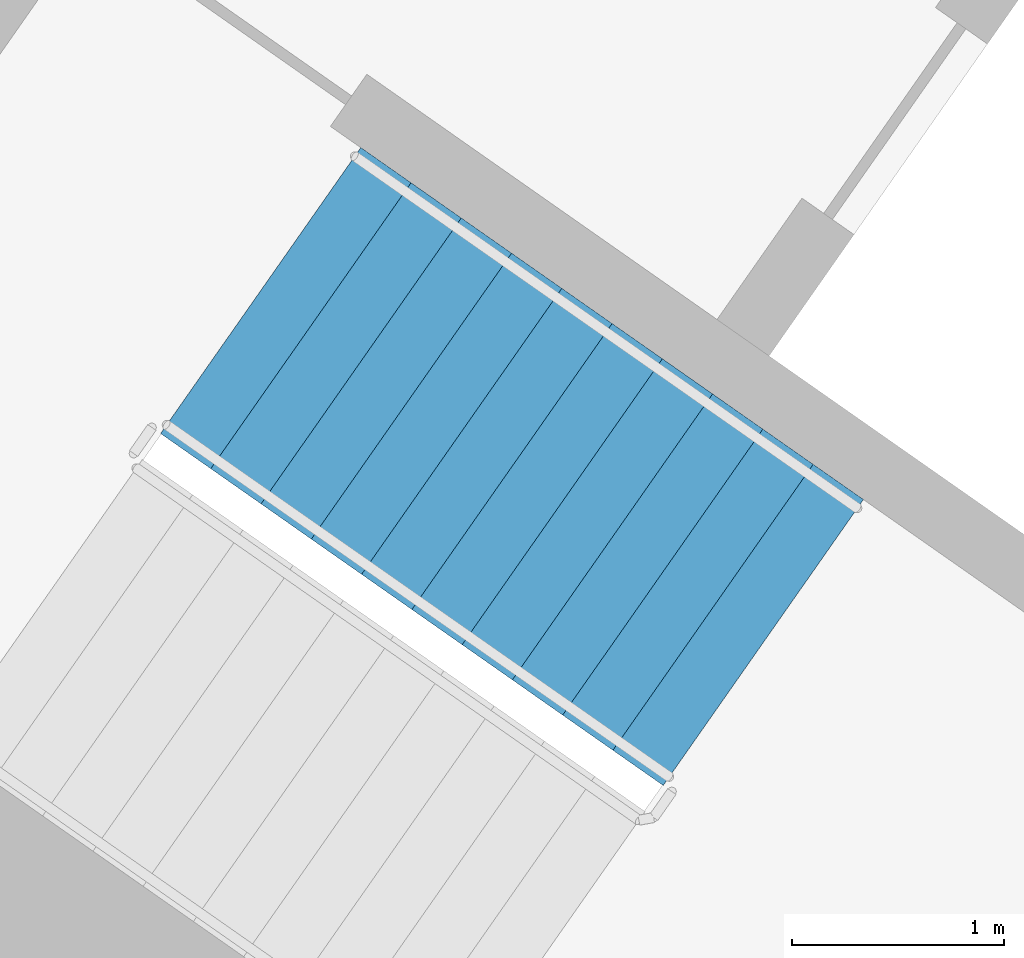
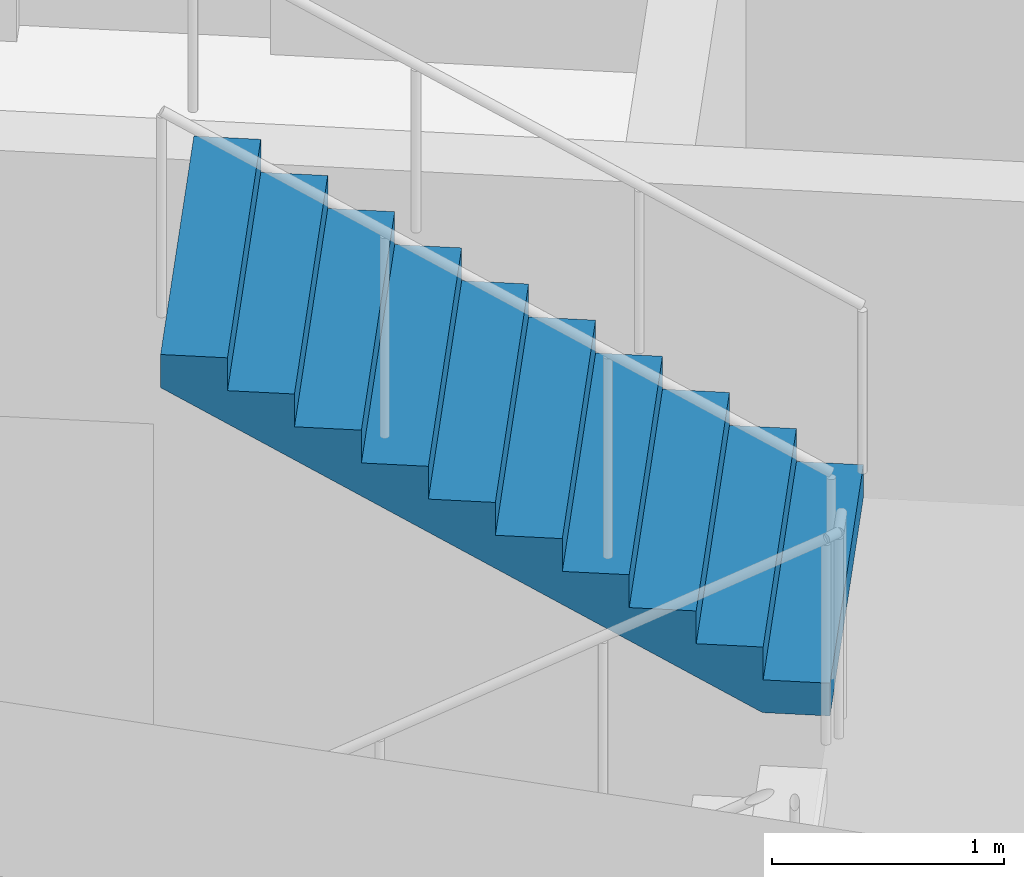
# One storey, part 11 of 31: 1 stair flight, 1 element without a shape of its own.
"""IFC4 building model written with IfcOpenShell, lengths in metres."""

from ifc_helpers import new_model, si_unit, direction, frame, origin, place, context, subcontext, project, spatial, faceted_brep, material, type_object, element, aggregate, save


model = new_model("IFC4")

# Units and contexts
model_context = context("Model", 3, precision=1e-05, world=origin(), true_north=direction((0.0, 1.0)))
body_context = subcontext(model_context, "Body", "Model", "MODEL_VIEW")
ifc_project = project(units=[si_unit("LENGTHUNIT", "METRE"), si_unit("AREAUNIT", "SQUARE_METRE"), si_unit("VOLUMEUNIT", "CUBIC_METRE"), si_unit("PLANEANGLEUNIT", "RADIAN"), si_unit("MASSUNIT", "GRAM", prefix="KILO")], contexts=[model_context])

# Site, building, storey
site_placement = place(None, origin())
site = spatial("IfcSite", under=ifc_project, at=site_placement, CompositionType="ELEMENT")
building_placement = place(site_placement, origin())
building = spatial("IfcBuilding", under=site, at=building_placement, Name="Qamariyya Broadcast Tower", CompositionType="ELEMENT")
storey_placement = place(building_placement, frame((0.0, 0.0, 51.89990234375)))
storey = spatial("IfcBuildingStorey", under=building, at=storey_placement, Name="L09", CompositionType="ELEMENT", Elevation=51.89990234375)

# Stair, stair flight
ifc_material = material(Name="Concrete C50/60", Category="concrete")
stair_type = type_object("IfcStairType", Name="Exit stair 22 risers of 173 mm", PredefinedType="HALF_TURN_STAIR", material=ifc_material)
stair_placement = place(storey_placement, origin())
stair = element("IfcStair", 1, at=stair_placement, inside=storey, type_object=stair_type, Name="L09 Stair W1", PredefinedType="HALF_TURN_STAIR")
stair_flight_type = type_object("IfcStairFlightType", Name="Exit stair flight 11 risers of 173 mm", PredefinedType="STRAIGHT", material=ifc_material)
stair_flight_placement = place(storey_placement, frame((-43.660888671875, -57.17138671875, 1.900146484375), z_axis=(0.0, 0.0, 1.0), x_axis=(-0.819152044289, 0.573576436351, 0.0)))
stair_flight = element("IfcStairFlight", 2, at=stair_flight_placement, type_object=stair_flight_type, Name="ST-W1 flight 2", NumberOfRisers=11, NumberOfTreads=10, PredefinedType="STRAIGHT", RiserHeight=0.172727273, TreadLength=0.29, context=body_context, shape_type="Brep", body=[
    faceted_brep([(0.0, 0.824951171875, 0.0), (0.0, 0.824951171875, 0.172607421875), (0.2900390625, 0.824951171875, 0.172607421875), (0.2900390625, 0.824951171875, 0.345458984375), (0.580078125, 0.824951171875, 0.345458984375), (0.580078125, 0.824951171875, 0.51806640625), (0.8701171875, 0.824951171875, 0.51806640625), (0.8701171875, 0.824951171875, 0.69091796875), (1.159912109375, 0.824951171875, 0.69091796875), (1.159912109375, 0.824951171875, 0.863525390625), (1.449951171875, 0.824951171875, 0.863525390625), (1.449951171875, 0.824951171875, 1.036376953125), (1.739990234375, 0.824951171875, 1.036376953125), (1.739990234375, 0.824951171875, 1.208984375), (2.030029296875, 0.824951171875, 1.208984375), (2.030029296875, 0.824951171875, 1.3818359375), (2.320068359375, 0.824951171875, 1.3818359375), (2.320068359375, 0.824951171875, 1.554443359375), (2.610107421875, 0.824951171875, 1.554443359375), (2.610107421875, 0.824951171875, 1.727294921875), (2.89990234375, 0.824951171875, 1.727294921875), (2.89990234375, 0.824951171875, 1.552734375), (0.29296875, 0.824951171875, 0.0), (0.29296875, -0.824951171875, 0.0), (2.89990234375, -0.824951171875, 1.552734375), (2.89990234375, -0.824951171875, 1.727294921875), (2.610107421875, -0.824951171875, 1.727294921875), (2.610107421875, -0.824951171875, 1.554443359375), (2.320068359375, -0.824951171875, 1.554443359375), (2.320068359375, -0.824951171875, 1.3818359375), (2.030029296875, -0.824951171875, 1.3818359375), (2.030029296875, -0.824951171875, 1.208984375), (1.739990234375, -0.824951171875, 1.208984375), (1.739990234375, -0.824951171875, 1.036376953125), (1.449951171875, -0.824951171875, 1.036376953125), (1.449951171875, -0.824951171875, 0.863525390625), (1.159912109375, -0.824951171875, 0.863525390625), (1.159912109375, -0.824951171875, 0.69091796875), (0.8701171875, -0.824951171875, 0.69091796875), (0.8701171875, -0.824951171875, 0.51806640625), (0.580078125, -0.824951171875, 0.51806640625), (0.580078125, -0.824951171875, 0.345458984375), (0.2900390625, -0.824951171875, 0.345458984375), (0.2900390625, -0.824951171875, 0.172607421875), (0.0, -0.824951171875, 0.172607421875), (0.0, -0.824951171875, 0.0), (0.0, 0.10009765625, 0.0), (0.0, 0.086669921875, 0.0), (0.0, 0.0732421875, 0.0), (0.0, 0.06005859375, 0.0), (0.0, 0.046630859375, 0.0), (0.0, 0.033447265625, 0.0), (0.0, 0.02001953125, 0.0), (0.0, 0.006591796875, 0.0), (0.0, -0.006591796875, 0.0), (0.0, -0.02001953125, 0.0), (0.0, -0.033447265625, 0.0), (0.0, -0.046630859375, 0.0), (0.0, -0.06005859375, 0.0), (0.0, -0.0732421875, 0.0), (0.0, -0.086669921875, 0.0), (0.0, -0.10009765625, 0.0), (0.0, -0.10009765625, 0.172607421875), (0.0, -0.086669921875, 0.172607421875), (0.0, -0.0732421875, 0.172607421875), (0.0, -0.06005859375, 0.172607421875), (0.0, -0.046630859375, 0.172607421875), (0.0, -0.033447265625, 0.172607421875), (0.0, -0.02001953125, 0.172607421875), (0.0, -0.006591796875, 0.172607421875), (0.0, 0.006591796875, 0.172607421875), (0.0, 0.02001953125, 0.172607421875), (0.0, 0.033447265625, 0.172607421875), (0.0, 0.046630859375, 0.172607421875), (0.0, 0.06005859375, 0.172607421875), (0.0, 0.0732421875, 0.172607421875), (0.0, 0.086669921875, 0.172607421875), (0.0, 0.10009765625, 0.172607421875), (0.2900390625, -0.10009765625, 0.172607421875), (0.2900390625, -0.086669921875, 0.172607421875), (0.2900390625, -0.0732421875, 0.172607421875), (0.2900390625, -0.06005859375, 0.172607421875), (0.2900390625, -0.046630859375, 0.172607421875), (0.2900390625, -0.033447265625, 0.172607421875), (0.2900390625, -0.02001953125, 0.172607421875), (0.2900390625, -0.006591796875, 0.172607421875), (0.2900390625, 0.006591796875, 0.172607421875), (0.2900390625, 0.02001953125, 0.172607421875), (0.2900390625, 0.033447265625, 0.172607421875), (0.2900390625, 0.046630859375, 0.172607421875), (0.2900390625, 0.06005859375, 0.172607421875), (0.2900390625, 0.0732421875, 0.172607421875), (0.2900390625, 0.086669921875, 0.172607421875), (0.2900390625, 0.10009765625, 0.172607421875), (0.2900390625, -0.10009765625, 0.345458984375), (0.2900390625, -0.086669921875, 0.345458984375), (0.2900390625, -0.0732421875, 0.345458984375), (0.2900390625, -0.06005859375, 0.345458984375), (0.2900390625, -0.046630859375, 0.345458984375), (0.2900390625, -0.033447265625, 0.345458984375), (0.2900390625, -0.02001953125, 0.345458984375), (0.2900390625, -0.006591796875, 0.345458984375), (0.2900390625, 0.006591796875, 0.345458984375), (0.2900390625, 0.02001953125, 0.345458984375), (0.2900390625, 0.033447265625, 0.345458984375), (0.2900390625, 0.046630859375, 0.345458984375), (0.2900390625, 0.06005859375, 0.345458984375), (0.2900390625, 0.0732421875, 0.345458984375), (0.2900390625, 0.086669921875, 0.345458984375), (0.2900390625, 0.10009765625, 0.345458984375), (0.580078125, -0.10009765625, 0.345458984375), (0.580078125, -0.086669921875, 0.345458984375), (0.580078125, -0.0732421875, 0.345458984375), (0.580078125, -0.06005859375, 0.345458984375), (0.580078125, -0.046630859375, 0.345458984375), (0.580078125, -0.033447265625, 0.345458984375), (0.580078125, -0.02001953125, 0.345458984375), (0.580078125, -0.006591796875, 0.345458984375), (0.580078125, 0.006591796875, 0.345458984375), (0.580078125, 0.02001953125, 0.345458984375), (0.580078125, 0.033447265625, 0.345458984375), (0.580078125, 0.046630859375, 0.345458984375), (0.580078125, 0.06005859375, 0.345458984375), (0.580078125, 0.0732421875, 0.345458984375), (0.580078125, 0.086669921875, 0.345458984375), (0.580078125, 0.10009765625, 0.345458984375), (0.580078125, -0.10009765625, 0.51806640625), (0.580078125, -0.086669921875, 0.51806640625), (0.580078125, -0.0732421875, 0.51806640625), (0.580078125, -0.06005859375, 0.51806640625), (0.580078125, -0.046630859375, 0.51806640625), (0.580078125, -0.033447265625, 0.51806640625), (0.580078125, -0.02001953125, 0.51806640625), (0.580078125, -0.006591796875, 0.51806640625), (0.580078125, 0.006591796875, 0.51806640625), (0.580078125, 0.02001953125, 0.51806640625), (0.580078125, 0.033447265625, 0.51806640625), (0.580078125, 0.046630859375, 0.51806640625), (0.580078125, 0.06005859375, 0.51806640625), (0.580078125, 0.0732421875, 0.51806640625), (0.580078125, 0.086669921875, 0.51806640625), (0.580078125, 0.10009765625, 0.51806640625), (0.8701171875, -0.10009765625, 0.51806640625), (0.8701171875, -0.086669921875, 0.51806640625), (0.8701171875, -0.0732421875, 0.51806640625), (0.8701171875, -0.06005859375, 0.51806640625), (0.8701171875, -0.046630859375, 0.51806640625), (0.8701171875, -0.033447265625, 0.51806640625), (0.8701171875, -0.02001953125, 0.51806640625), (0.8701171875, -0.006591796875, 0.51806640625), (0.8701171875, 0.006591796875, 0.51806640625), (0.8701171875, 0.02001953125, 0.51806640625), (0.8701171875, 0.033447265625, 0.51806640625), (0.8701171875, 0.046630859375, 0.51806640625), (0.8701171875, 0.06005859375, 0.51806640625), (0.8701171875, 0.0732421875, 0.51806640625), (0.8701171875, 0.086669921875, 0.51806640625), (0.8701171875, 0.10009765625, 0.51806640625), (0.8701171875, -0.10009765625, 0.69091796875), (0.8701171875, -0.086669921875, 0.69091796875), (0.8701171875, -0.0732421875, 0.69091796875), (0.8701171875, -0.06005859375, 0.69091796875), (0.8701171875, -0.046630859375, 0.69091796875), (0.8701171875, -0.033447265625, 0.69091796875), (0.8701171875, -0.02001953125, 0.69091796875), (0.8701171875, -0.006591796875, 0.69091796875), (0.8701171875, 0.006591796875, 0.69091796875), (0.8701171875, 0.02001953125, 0.69091796875), (0.8701171875, 0.033447265625, 0.69091796875), (0.8701171875, 0.046630859375, 0.69091796875), (0.8701171875, 0.06005859375, 0.69091796875), (0.8701171875, 0.0732421875, 0.69091796875), (0.8701171875, 0.086669921875, 0.69091796875), (0.8701171875, 0.10009765625, 0.69091796875), (1.159912109375, -0.10009765625, 0.69091796875), (1.159912109375, -0.086669921875, 0.69091796875), (1.159912109375, -0.0732421875, 0.69091796875), (1.159912109375, -0.06005859375, 0.69091796875), (1.159912109375, -0.046630859375, 0.69091796875), (1.159912109375, -0.033447265625, 0.69091796875), (1.159912109375, -0.02001953125, 0.69091796875), (1.159912109375, -0.006591796875, 0.69091796875), (1.159912109375, 0.006591796875, 0.69091796875), (1.159912109375, 0.02001953125, 0.69091796875), (1.159912109375, 0.033447265625, 0.69091796875), (1.159912109375, 0.046630859375, 0.69091796875), (1.159912109375, 0.06005859375, 0.69091796875), (1.159912109375, 0.0732421875, 0.69091796875), (1.159912109375, 0.086669921875, 0.69091796875), (1.159912109375, 0.10009765625, 0.69091796875), (1.159912109375, -0.10009765625, 0.863525390625), (1.159912109375, -0.086669921875, 0.863525390625), (1.159912109375, -0.0732421875, 0.863525390625), (1.159912109375, -0.06005859375, 0.863525390625), (1.159912109375, -0.046630859375, 0.863525390625), (1.159912109375, -0.033447265625, 0.863525390625), (1.159912109375, -0.02001953125, 0.863525390625), (1.159912109375, -0.006591796875, 0.863525390625), (1.159912109375, 0.006591796875, 0.863525390625), (1.159912109375, 0.02001953125, 0.863525390625), (1.159912109375, 0.033447265625, 0.863525390625), (1.159912109375, 0.046630859375, 0.863525390625), (1.159912109375, 0.06005859375, 0.863525390625), (1.159912109375, 0.0732421875, 0.863525390625), (1.159912109375, 0.086669921875, 0.863525390625), (1.159912109375, 0.10009765625, 0.863525390625), (1.449951171875, -0.10009765625, 0.863525390625), (1.449951171875, -0.086669921875, 0.863525390625), (1.449951171875, -0.0732421875, 0.863525390625), (1.449951171875, -0.06005859375, 0.863525390625), (1.449951171875, -0.046630859375, 0.863525390625), (1.449951171875, -0.033447265625, 0.863525390625), (1.449951171875, -0.02001953125, 0.863525390625), (1.449951171875, -0.006591796875, 0.863525390625), (1.449951171875, 0.006591796875, 0.863525390625), (1.449951171875, 0.02001953125, 0.863525390625), (1.449951171875, 0.033447265625, 0.863525390625), (1.449951171875, 0.046630859375, 0.863525390625), (1.449951171875, 0.06005859375, 0.863525390625), (1.449951171875, 0.0732421875, 0.863525390625), (1.449951171875, 0.086669921875, 0.863525390625), (1.449951171875, 0.10009765625, 0.863525390625), (1.449951171875, -0.10009765625, 1.036376953125), (1.449951171875, -0.086669921875, 1.036376953125), (1.449951171875, -0.0732421875, 1.036376953125), (1.449951171875, -0.06005859375, 1.036376953125), (1.449951171875, -0.046630859375, 1.036376953125), (1.449951171875, -0.033447265625, 1.036376953125), (1.449951171875, -0.02001953125, 1.036376953125), (1.449951171875, -0.006591796875, 1.036376953125), (1.449951171875, 0.006591796875, 1.036376953125), (1.449951171875, 0.02001953125, 1.036376953125), (1.449951171875, 0.033447265625, 1.036376953125), (1.449951171875, 0.046630859375, 1.036376953125), (1.449951171875, 0.06005859375, 1.036376953125), (1.449951171875, 0.0732421875, 1.036376953125), (1.449951171875, 0.086669921875, 1.036376953125), (1.449951171875, 0.10009765625, 1.036376953125), (1.739990234375, -0.10009765625, 1.036376953125), (1.739990234375, -0.086669921875, 1.036376953125), (1.739990234375, -0.0732421875, 1.036376953125), (1.739990234375, -0.06005859375, 1.036376953125), (1.739990234375, -0.046630859375, 1.036376953125), (1.739990234375, -0.033447265625, 1.036376953125), (1.739990234375, -0.02001953125, 1.036376953125), (1.739990234375, -0.006591796875, 1.036376953125), (1.739990234375, 0.006591796875, 1.036376953125), (1.739990234375, 0.02001953125, 1.036376953125), (1.739990234375, 0.033447265625, 1.036376953125), (1.739990234375, 0.046630859375, 1.036376953125), (1.739990234375, 0.06005859375, 1.036376953125), (1.739990234375, 0.0732421875, 1.036376953125), (1.739990234375, 0.086669921875, 1.036376953125), (1.739990234375, 0.10009765625, 1.036376953125), (1.739990234375, -0.10009765625, 1.208984375), (1.739990234375, -0.086669921875, 1.208984375), (1.739990234375, -0.0732421875, 1.208984375), (1.739990234375, -0.06005859375, 1.208984375), (1.739990234375, -0.046630859375, 1.208984375), (1.739990234375, -0.033447265625, 1.208984375), (1.739990234375, -0.02001953125, 1.208984375), (1.739990234375, -0.006591796875, 1.208984375), (1.739990234375, 0.006591796875, 1.208984375), (1.739990234375, 0.02001953125, 1.208984375), (1.739990234375, 0.033447265625, 1.208984375), (1.739990234375, 0.046630859375, 1.208984375), (1.739990234375, 0.06005859375, 1.208984375), (1.739990234375, 0.0732421875, 1.208984375), (1.739990234375, 0.086669921875, 1.208984375), (1.739990234375, 0.10009765625, 1.208984375), (2.030029296875, -0.10009765625, 1.208984375), (2.030029296875, -0.086669921875, 1.208984375), (2.030029296875, -0.0732421875, 1.208984375), (2.030029296875, -0.06005859375, 1.208984375), (2.030029296875, -0.046630859375, 1.208984375), (2.030029296875, -0.033447265625, 1.208984375), (2.030029296875, -0.02001953125, 1.208984375), (2.030029296875, -0.006591796875, 1.208984375), (2.030029296875, 0.006591796875, 1.208984375), (2.030029296875, 0.02001953125, 1.208984375), (2.030029296875, 0.033447265625, 1.208984375), (2.030029296875, 0.046630859375, 1.208984375), (2.030029296875, 0.06005859375, 1.208984375), (2.030029296875, 0.0732421875, 1.208984375), (2.030029296875, 0.086669921875, 1.208984375), (2.030029296875, 0.10009765625, 1.208984375), (2.030029296875, -0.10009765625, 1.3818359375), (2.030029296875, -0.086669921875, 1.3818359375), (2.030029296875, -0.0732421875, 1.3818359375), (2.030029296875, -0.06005859375, 1.3818359375), (2.030029296875, -0.046630859375, 1.3818359375), (2.030029296875, -0.033447265625, 1.3818359375), (2.030029296875, -0.02001953125, 1.3818359375), (2.030029296875, -0.006591796875, 1.3818359375), (2.030029296875, 0.006591796875, 1.3818359375), (2.030029296875, 0.02001953125, 1.3818359375), (2.030029296875, 0.033447265625, 1.3818359375), (2.030029296875, 0.046630859375, 1.3818359375), (2.030029296875, 0.06005859375, 1.3818359375), (2.030029296875, 0.0732421875, 1.3818359375), (2.030029296875, 0.086669921875, 1.3818359375), (2.030029296875, 0.10009765625, 1.3818359375), (2.320068359375, -0.10009765625, 1.3818359375), (2.320068359375, -0.086669921875, 1.3818359375), (2.320068359375, -0.0732421875, 1.3818359375), (2.320068359375, -0.06005859375, 1.3818359375), (2.320068359375, -0.046630859375, 1.3818359375), (2.320068359375, -0.033447265625, 1.3818359375), (2.320068359375, -0.02001953125, 1.3818359375), (2.320068359375, -0.006591796875, 1.3818359375), (2.320068359375, 0.006591796875, 1.3818359375), (2.320068359375, 0.02001953125, 1.3818359375), (2.320068359375, 0.033447265625, 1.3818359375), (2.320068359375, 0.046630859375, 1.3818359375), (2.320068359375, 0.06005859375, 1.3818359375), (2.320068359375, 0.0732421875, 1.3818359375), (2.320068359375, 0.086669921875, 1.3818359375), (2.320068359375, 0.10009765625, 1.3818359375), (2.320068359375, -0.10009765625, 1.554443359375), (2.320068359375, -0.086669921875, 1.554443359375), (2.320068359375, -0.0732421875, 1.554443359375), (2.320068359375, -0.06005859375, 1.554443359375), (2.320068359375, -0.046630859375, 1.554443359375), (2.320068359375, -0.033447265625, 1.554443359375), (2.320068359375, -0.02001953125, 1.554443359375), (2.320068359375, -0.006591796875, 1.554443359375), (2.320068359375, 0.006591796875, 1.554443359375), (2.320068359375, 0.02001953125, 1.554443359375), (2.320068359375, 0.033447265625, 1.554443359375), (2.320068359375, 0.046630859375, 1.554443359375), (2.320068359375, 0.06005859375, 1.554443359375), (2.320068359375, 0.0732421875, 1.554443359375), (2.320068359375, 0.086669921875, 1.554443359375), (2.320068359375, 0.10009765625, 1.554443359375), (2.610107421875, -0.10009765625, 1.554443359375), (2.610107421875, -0.086669921875, 1.554443359375), (2.610107421875, -0.0732421875, 1.554443359375), (2.610107421875, -0.06005859375, 1.554443359375), (2.610107421875, -0.046630859375, 1.554443359375), (2.610107421875, -0.033447265625, 1.554443359375), (2.610107421875, -0.02001953125, 1.554443359375), (2.610107421875, -0.006591796875, 1.554443359375), (2.610107421875, 0.006591796875, 1.554443359375), (2.610107421875, 0.02001953125, 1.554443359375), (2.610107421875, 0.033447265625, 1.554443359375), (2.610107421875, 0.046630859375, 1.554443359375), (2.610107421875, 0.06005859375, 1.554443359375), (2.610107421875, 0.0732421875, 1.554443359375), (2.610107421875, 0.086669921875, 1.554443359375), (2.610107421875, 0.10009765625, 1.554443359375), (2.610107421875, -0.10009765625, 1.727294921875), (2.610107421875, -0.086669921875, 1.727294921875), (2.610107421875, -0.0732421875, 1.727294921875), (2.610107421875, -0.06005859375, 1.727294921875), (2.610107421875, -0.046630859375, 1.727294921875), (2.610107421875, -0.033447265625, 1.727294921875), (2.610107421875, -0.02001953125, 1.727294921875), (2.610107421875, -0.006591796875, 1.727294921875), (2.610107421875, 0.006591796875, 1.727294921875), (2.610107421875, 0.02001953125, 1.727294921875), (2.610107421875, 0.033447265625, 1.727294921875), (2.610107421875, 0.046630859375, 1.727294921875), (2.610107421875, 0.06005859375, 1.727294921875), (2.610107421875, 0.0732421875, 1.727294921875), (2.610107421875, 0.086669921875, 1.727294921875), (2.610107421875, 0.10009765625, 1.727294921875), (2.89990234375, -0.10009765625, 1.727294921875), (2.89990234375, -0.086669921875, 1.727294921875), (2.89990234375, -0.0732421875, 1.727294921875), (2.89990234375, -0.06005859375, 1.727294921875), (2.89990234375, -0.046630859375, 1.727294921875), (2.89990234375, -0.033447265625, 1.727294921875), (2.89990234375, -0.02001953125, 1.727294921875), (2.89990234375, -0.006591796875, 1.727294921875), (2.89990234375, 0.006591796875, 1.727294921875), (2.89990234375, 0.02001953125, 1.727294921875), (2.89990234375, 0.033447265625, 1.727294921875), (2.89990234375, 0.046630859375, 1.727294921875), (2.89990234375, 0.06005859375, 1.727294921875), (2.89990234375, 0.0732421875, 1.727294921875), (2.89990234375, 0.086669921875, 1.727294921875), (2.89990234375, 0.10009765625, 1.727294921875), (2.89990234375, -0.10009765625, 1.552734375), (2.89990234375, -0.086669921875, 1.552734375), (2.89990234375, -0.0732421875, 1.552734375), (2.89990234375, -0.06005859375, 1.552734375), (2.89990234375, -0.046630859375, 1.552734375), (2.89990234375, -0.033447265625, 1.552734375), (2.89990234375, -0.02001953125, 1.552734375), (2.89990234375, -0.006591796875, 1.552734375), (2.89990234375, 0.006591796875, 1.552734375), (2.89990234375, 0.02001953125, 1.552734375), (2.89990234375, 0.033447265625, 1.552734375), (2.89990234375, 0.046630859375, 1.552734375), (2.89990234375, 0.06005859375, 1.552734375), (2.89990234375, 0.0732421875, 1.552734375), (2.89990234375, 0.086669921875, 1.552734375), (2.89990234375, 0.10009765625, 1.552734375), (0.29296875, -0.10009765625, 0.0), (0.29296875, -0.086669921875, 0.0), (0.29296875, -0.0732421875, 0.0), (0.29296875, -0.06005859375, 0.0), (0.29296875, -0.046630859375, 0.0), (0.29296875, -0.033447265625, 0.0), (0.29296875, -0.02001953125, 0.0), (0.29296875, -0.006591796875, 0.0), (0.29296875, 0.006591796875, 0.0), (0.29296875, 0.02001953125, 0.0), (0.29296875, 0.033447265625, 0.0), (0.29296875, 0.046630859375, 0.0), (0.29296875, 0.06005859375, 0.0), (0.29296875, 0.0732421875, 0.0), (0.29296875, 0.086669921875, 0.0), (0.29296875, 0.10009765625, 0.0)], [[[0, 1, 2, 3, 4, 5, 6, 7, 8, 9, 10, 11, 12, 13, 14, 15, 16, 17, 18, 19, 20, 21, 22]], [[23, 24, 25, 26, 27, 28, 29, 30, 31, 32, 33, 34, 35, 36, 37, 38, 39, 40, 41, 42, 43, 44, 45]], [[0, 46, 47, 48, 49, 50, 51, 52, 53, 54, 55, 56, 57, 58, 59, 60, 61, 45, 44, 62, 63, 64, 65, 66, 67, 68, 69, 70, 71, 72, 73, 74, 75, 76, 77, 1]], [[1, 77, 76, 75, 74, 73, 72, 71, 70, 69, 68, 67, 66, 65, 64, 63, 62, 44, 43, 78, 79, 80, 81, 82, 83, 84, 85, 86, 87, 88, 89, 90, 91, 92, 93, 2]], [[2, 93, 92, 91, 90, 89, 88, 87, 86, 85, 84, 83, 82, 81, 80, 79, 78, 43, 42, 94, 95, 96, 97, 98, 99, 100, 101, 102, 103, 104, 105, 106, 107, 108, 109, 3]], [[3, 109, 108, 107, 106, 105, 104, 103, 102, 101, 100, 99, 98, 97, 96, 95, 94, 42, 41, 110, 111, 112, 113, 114, 115, 116, 117, 118, 119, 120, 121, 122, 123, 124, 125, 4]], [[4, 125, 124, 123, 122, 121, 120, 119, 118, 117, 116, 115, 114, 113, 112, 111, 110, 41, 40, 126, 127, 128, 129, 130, 131, 132, 133, 134, 135, 136, 137, 138, 139, 140, 141, 5]], [[5, 141, 140, 139, 138, 137, 136, 135, 134, 133, 132, 131, 130, 129, 128, 127, 126, 40, 39, 142, 143, 144, 145, 146, 147, 148, 149, 150, 151, 152, 153, 154, 155, 156, 157, 6]], [[6, 157, 156, 155, 154, 153, 152, 151, 150, 149, 148, 147, 146, 145, 144, 143, 142, 39, 38, 158, 159, 160, 161, 162, 163, 164, 165, 166, 167, 168, 169, 170, 171, 172, 173, 7]], [[7, 173, 172, 171, 170, 169, 168, 167, 166, 165, 164, 163, 162, 161, 160, 159, 158, 38, 37, 174, 175, 176, 177, 178, 179, 180, 181, 182, 183, 184, 185, 186, 187, 188, 189, 8]], [[8, 189, 188, 187, 186, 185, 184, 183, 182, 181, 180, 179, 178, 177, 176, 175, 174, 37, 36, 190, 191, 192, 193, 194, 195, 196, 197, 198, 199, 200, 201, 202, 203, 204, 205, 9]], [[9, 205, 204, 203, 202, 201, 200, 199, 198, 197, 196, 195, 194, 193, 192, 191, 190, 36, 35, 206, 207, 208, 209, 210, 211, 212, 213, 214, 215, 216, 217, 218, 219, 220, 221, 10]], [[10, 221, 220, 219, 218, 217, 216, 215, 214, 213, 212, 211, 210, 209, 208, 207, 206, 35, 34, 222, 223, 224, 225, 226, 227, 228, 229, 230, 231, 232, 233, 234, 235, 236, 237, 11]], [[11, 237, 236, 235, 234, 233, 232, 231, 230, 229, 228, 227, 226, 225, 224, 223, 222, 34, 33, 238, 239, 240, 241, 242, 243, 244, 245, 246, 247, 248, 249, 250, 251, 252, 253, 12]], [[12, 253, 252, 251, 250, 249, 248, 247, 246, 245, 244, 243, 242, 241, 240, 239, 238, 33, 32, 254, 255, 256, 257, 258, 259, 260, 261, 262, 263, 264, 265, 266, 267, 268, 269, 13]], [[13, 269, 268, 267, 266, 265, 264, 263, 262, 261, 260, 259, 258, 257, 256, 255, 254, 32, 31, 270, 271, 272, 273, 274, 275, 276, 277, 278, 279, 280, 281, 282, 283, 284, 285, 14]], [[14, 285, 284, 283, 282, 281, 280, 279, 278, 277, 276, 275, 274, 273, 272, 271, 270, 31, 30, 286, 287, 288, 289, 290, 291, 292, 293, 294, 295, 296, 297, 298, 299, 300, 301, 15]], [[15, 301, 300, 299, 298, 297, 296, 295, 294, 293, 292, 291, 290, 289, 288, 287, 286, 30, 29, 302, 303, 304, 305, 306, 307, 308, 309, 310, 311, 312, 313, 314, 315, 316, 317, 16]], [[16, 317, 316, 315, 314, 313, 312, 311, 310, 309, 308, 307, 306, 305, 304, 303, 302, 29, 28, 318, 319, 320, 321, 322, 323, 324, 325, 326, 327, 328, 329, 330, 331, 332, 333, 17]], [[17, 333, 332, 331, 330, 329, 328, 327, 326, 325, 324, 323, 322, 321, 320, 319, 318, 28, 27, 334, 335, 336, 337, 338, 339, 340, 341, 342, 343, 344, 345, 346, 347, 348, 349, 18]], [[18, 349, 348, 347, 346, 345, 344, 343, 342, 341, 340, 339, 338, 337, 336, 335, 334, 27, 26, 350, 351, 352, 353, 354, 355, 356, 357, 358, 359, 360, 361, 362, 363, 364, 365, 19]], [[19, 365, 364, 363, 362, 361, 360, 359, 358, 357, 356, 355, 354, 353, 352, 351, 350, 26, 25, 366, 367, 368, 369, 370, 371, 372, 373, 374, 375, 376, 377, 378, 379, 380, 381, 20]], [[20, 381, 380, 379, 378, 377, 376, 375, 374, 373, 372, 371, 370, 369, 368, 367, 366, 25, 24, 382, 383, 384, 385, 386, 387, 388, 389, 390, 391, 392, 393, 394, 395, 396, 397, 21]], [[21, 397, 396, 395, 394, 393, 392, 391, 390, 389, 388, 387, 386, 385, 384, 383, 382, 24, 23, 398, 399, 400, 401, 402, 403, 404, 405, 406, 407, 408, 409, 410, 411, 412, 413, 22]], [[22, 413, 412, 411, 410, 409, 408, 407, 406, 405, 404, 403, 402, 401, 400, 399, 398, 23, 45, 61, 60, 59, 58, 57, 56, 55, 54, 53, 52, 51, 50, 49, 48, 47, 46, 0]]]),
])
aggregate(stair, [stair_flight])

save(model, "model.ifc")
